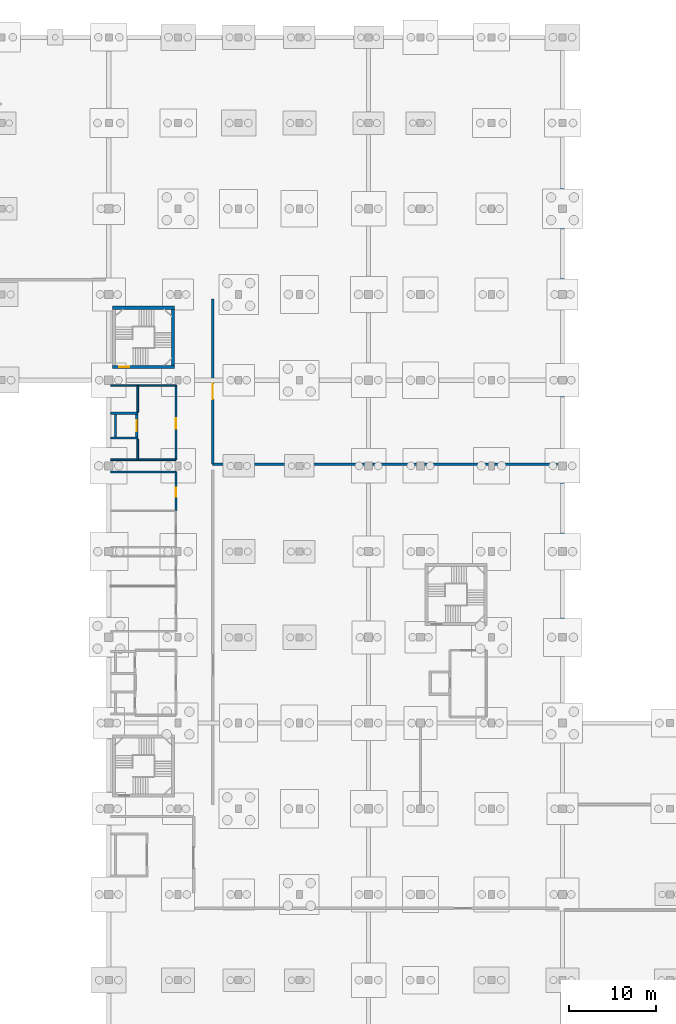
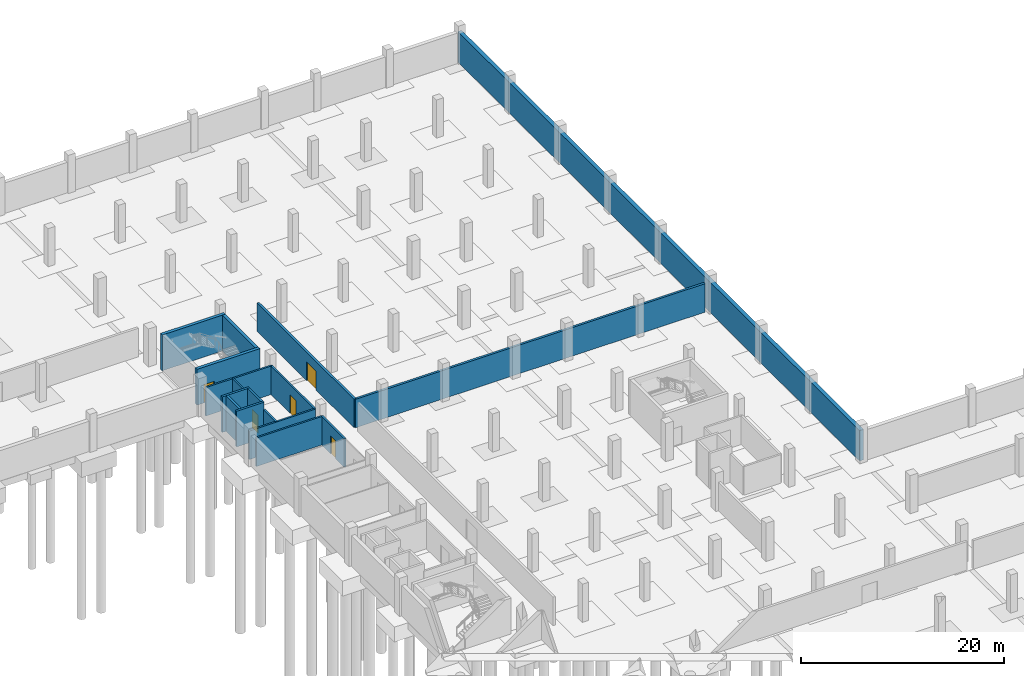
# One storey, part 17 of 30: 17 walls, 5 doors, 5 openings.
"""IFC4 building model written with IfcOpenShell, lengths in metres."""

from ifc_helpers import new_model, si_unit, direction, frame, frame_2d, origin, place, context, subcontext, project, spatial, rectangle, extrude, material, layer, layer_set, type_object, element, fill, save


model = new_model("IFC4")

# Units and contexts
model_context = context("Model", 3, precision=1e-05, world=origin(), true_north=direction((0.0, 1.0)))
body_context = subcontext(model_context, "Body", "Model", "MODEL_VIEW")
ifc_project = project(units=[si_unit("LENGTHUNIT", "METRE"), si_unit("AREAUNIT", "SQUARE_METRE"), si_unit("VOLUMEUNIT", "CUBIC_METRE"), si_unit("PLANEANGLEUNIT", "RADIAN"), si_unit("MASSUNIT", "GRAM", prefix="KILO")], contexts=[model_context])

# Site, building, storey
site_placement = place(None, origin())
site = spatial("IfcSite", under=ifc_project, at=site_placement, CompositionType="ELEMENT")
building_placement = place(site_placement, origin())
building = spatial("IfcBuilding", under=site, at=building_placement, Name="Sillaruma Civic Art Gallery", CompositionType="ELEMENT")
storey_placement = place(building_placement, frame((0.0, 0.0, -9.179931640625)))
storey = spatial("IfcBuildingStorey", under=building, at=storey_placement, Name="B02", CompositionType="ELEMENT", Elevation=-9.179931640625)

# Wall, opening, door
ifc_material_1 = material(Name="Concrete H40 (40 MPa)", Category="concrete")
ifc_layer_1 = layer(ifc_material_1, 0.35009765625, Name="Concrete H40 (40 MPa)")
ifc_layer_set_1 = layer_set([ifc_layer_1], Name="Concrete H40 (40 MPa)")
wall_type_1 = type_object("IfcWallType", Name="WAL-CORE-350", PredefinedType="SHEAR", material=ifc_layer_set_1)
wall_1_placement = place(storey_placement, frame((62.409912109375, 80.735107421875, 0.0), z_axis=(0.0, 0.0, 1.0), x_axis=(1.0, 0.0, 0.0)))
wall_1 = element("IfcWall", 1, at=wall_1_placement, inside=storey, type_object=wall_type_1, Name="Stair Core Shear Wall W-CORE-350 (ST-02:B02:S)", PredefinedType="SHEAR", context=body_context, shape_type="SweptSolid", body=[
    extrude(rectangle(XDim=7.18017578125, YDim=0.35009765625, at=frame_2d((3.590087890625, 0.0))), origin(), (0.0, 0.0, 1.0), 4.309814453125),
])
opening_1_placement = place(wall_1_placement, frame((0.77001953125, 0.0, 0.0)))
opening_1 = element("IfcOpeningElement", 2, at=opening_1_placement, cuts=wall_1, Name="Opening D-STAIR", PredefinedType="OPENING", context=body_context, shape_type="SweptSolid", body=[
    extrude(rectangle(XDim=1.199951171875, YDim=2.199951171875, at=frame_2d((0.60009765625, 1.10009765625))), frame((0.0, 0.18505859375, 0.0), z_axis=(0.0, -1.0, 0.0), x_axis=(1.0, 0.0, 0.0)), (0.0, 0.0, 1.0), 0.3701171875),
])
ifc_material_2 = material(Name="Galvanised Steel ASTM A653 Gr.50", Category="steel")
door_type_1 = type_object("IfcDoorType", Name="DOR-STAIR-120", OperationType="NOTDEFINED", PredefinedType="DOOR", material=ifc_material_2)
door_1_placement = place(opening_1_placement, origin())
door_1 = element("IfcDoor", 3, at=door_1_placement, inside=storey, type_object=door_type_1, Name="Protected Stair Fire Door (ST-02:B02)", OperationType="SINGLE_SWING_RIGHT", OverallHeight=2.199951171875, OverallWidth=1.199951171875, PredefinedType="DOOR", context=body_context, shape_type="SweptSolid", body=[
    extrude(rectangle(XDim=1.199951171875, YDim=2.199951171875, at=frame_2d((0.60009765625, 1.10009765625))), frame((0.0, 0.02490234375, 0.0), z_axis=(0.0, -1.0, 0.0), x_axis=(1.0, 0.0, 0.0)), (0.0, 0.0, 1.0), 0.050048828125),
])
fill(opening_1, door_1)

# Walls
wall_2_placement = place(storey_placement, frame((62.409912109375, 87.56494140625, 0.0), z_axis=(0.0, 0.0, 1.0), x_axis=(1.0, 0.0, 0.0)))
element("IfcWall", 4, at=wall_2_placement, inside=storey, type_object=wall_type_1, Name="Stair Core Shear Wall W-CORE-350 (ST-02:B02:N)", PredefinedType="SHEAR", context=body_context, shape_type="SweptSolid", body=[
    extrude(rectangle(XDim=7.18017578125, YDim=0.35009765625, at=frame_2d((3.590087890625, 0.0))), origin(), (0.0, 0.0, 1.0), 4.309814453125),
])
wall_3_placement = place(storey_placement, frame((69.4150390625, 80.909912109375, 0.0), z_axis=(0.0, 0.0, 1.0), x_axis=(0.0, 1.0, 0.0)))
element("IfcWall", 5, at=wall_3_placement, inside=storey, type_object=wall_type_1, Name="Stair Core Shear Wall W-CORE-350 (ST-02:B02:E)", PredefinedType="SHEAR", context=body_context, shape_type="SweptSolid", body=[
    extrude(rectangle(XDim=6.47998046875, YDim=0.35009765625, at=frame_2d((3.239990234375, 0.0))), origin(), (0.0, 0.0, 1.0), 4.309814453125),
])
ifc_material_3 = material(Name="Concrete Masonry Unit Grade M15", Category="masonry")
ifc_layer_2 = layer(ifc_material_3, 0.199951171875, Name="Concrete Masonry Unit Grade M15")
ifc_layer_set_2 = layer_set([ifc_layer_2], Name="Concrete Masonry Unit Grade M15")
wall_type_2 = type_object("IfcWallType", Name="WAL-LOBBY-200", PredefinedType="SOLIDWALL", material=ifc_layer_set_2)
for number, where, z_axis, x_axis, name in (
    (6, (62.219970703125, 70.0, 0.0), (0.0, 0.0, 1.0), (1.0, 0.0, 0.0), "Interior Wall W-LOBBY-200 (B02-FFL)"),
    (7, (62.219970703125, 78.60009765625, 0.0), (0.0, 0.0, 1.0), (1.0, 0.0, 0.0), "Interior Wall W-LOBBY-200 (B02-FFL)"),
):
    element("IfcWall", number, at=place(storey_placement, frame(where, z_axis=z_axis, x_axis=x_axis)), inside=storey, type_object=wall_type_2, Name=name, PredefinedType="SOLIDWALL", context=body_context, shape_type="SweptSolid", body=[
        extrude(rectangle(XDim=7.530029296875, YDim=0.199951171875, at=frame_2d((3.76513671875, 0.0))), origin(), (0.0, 0.0, 1.0), 3.429931640625),
    ])
wall_4_placement = place(storey_placement, frame((65.35009765625, 70.0, 0.0), z_axis=(0.0, 0.0, 1.0), x_axis=(0.0, 1.0, 0.0)))
element("IfcWall", 8, at=wall_4_placement, inside=storey, type_object=wall_type_2, Name="Interior Wall W-LOBBY-200 (B02-FFL)", PredefinedType="SOLIDWALL", context=body_context, shape_type="SweptSolid", body=[
    extrude(rectangle(XDim=2.39990234375, YDim=0.199951171875, at=frame_2d((1.199951171875, 0.0))), origin(), (0.0, 0.0, 1.0), 3.429931640625),
])
wall_5_placement = place(storey_placement, frame((65.35009765625, 75.5, 0.0), z_axis=(0.0, 0.0, 1.0), x_axis=(0.0, 1.0, 0.0)))
element("IfcWall", 9, at=wall_5_placement, inside=storey, type_object=wall_type_2, Name="Interior Wall W-LOBBY-200 (B02-FFL)", PredefinedType="SOLIDWALL", context=body_context, shape_type="SweptSolid", body=[
    extrude(rectangle(XDim=3.10009765625, YDim=0.199951171875, at=frame_2d((1.550048828125, 0.0))), origin(), (0.0, 0.0, 1.0), 3.429931640625),
])

# Wall, opening, door
wall_6_placement = place(storey_placement, frame((69.75, 70.0, 0.0), z_axis=(0.0, 0.0, 1.0), x_axis=(0.0, 1.0, 0.0)))
wall_6 = element("IfcWall", 10, at=wall_6_placement, inside=storey, type_object=wall_type_2, Name="Interior Wall W-LOBBY-200 (B02-FFL)", PredefinedType="SOLIDWALL", context=body_context, shape_type="SweptSolid", body=[
    extrude(rectangle(XDim=8.60009765625, YDim=0.199951171875, at=frame_2d((4.300048828125, 0.0))), origin(), (0.0, 0.0, 1.0), 3.429931640625),
])
opening_2_placement = place(wall_6_placement, frame((3.60009765625, 0.0, 0.0)))
opening_2 = element("IfcOpeningElement", 11, at=opening_2_placement, cuts=wall_6, Name="Opening D-FFL", PredefinedType="OPENING", context=body_context, shape_type="SweptSolid", body=[
    extrude(rectangle(XDim=1.199951171875, YDim=2.25, at=frame_2d((0.60009765625, 1.125))), frame((0.0, 0.10986328125, 0.0), z_axis=(0.0, -1.0, 0.0), x_axis=(1.0, 0.0, 0.0)), (0.0, 0.0, 1.0), 0.219970703125),
])
door_type_2 = type_object("IfcDoorType", Name="DOR-FFL-120", OperationType="NOTDEFINED", PredefinedType="DOOR", material=ifc_material_2)
door_2_placement = place(opening_2_placement, origin())
door_2 = element("IfcDoor", 12, at=door_2_placement, inside=storey, type_object=door_type_2, Name="Firefighting Lobby Door (D-FFL)", OperationType="SINGLE_SWING_LEFT", OverallHeight=2.25, OverallWidth=1.199951171875, PredefinedType="DOOR", context=body_context, shape_type="SweptSolid", body=[
    extrude(rectangle(XDim=1.199951171875, YDim=2.25, at=frame_2d((0.60009765625, 1.125))), frame((0.0, 0.02490234375, 0.0), z_axis=(0.0, -1.0, 0.0), x_axis=(1.0, 0.0, 0.0)), (0.0, 0.0, 1.0), 0.050048828125),
])
fill(opening_2, door_2)

# Wall
wall_7_placement = place(storey_placement, frame((62.219970703125, 68.60009765625, 0.0), z_axis=(0.0, 0.0, 1.0), x_axis=(1.0, 0.0, 0.0)))
element("IfcWall", 13, at=wall_7_placement, inside=storey, type_object=wall_type_2, Name="Interior Wall W-LOBBY-200 (B02-RSR)", PredefinedType="SOLIDWALL", context=body_context, shape_type="SweptSolid", body=[
    extrude(rectangle(XDim=7.530029296875, YDim=0.199951171875, at=frame_2d((3.76513671875, 0.0))), origin(), (0.0, 0.0, 1.0), 3.429931640625),
])

# Wall, opening, door
wall_8_placement = place(storey_placement, frame((69.75, 64.10009765625, 0.0), z_axis=(0.0, 0.0, 1.0), x_axis=(0.0, 1.0, 0.0)))
wall_8 = element("IfcWall", 14, at=wall_8_placement, inside=storey, type_object=wall_type_2, Name="Interior Wall W-LOBBY-200 (B02-RSR)", PredefinedType="SOLIDWALL", context=body_context, shape_type="SweptSolid", body=[
    extrude(rectangle(XDim=4.5, YDim=0.199951171875, at=frame_2d((2.25, 0.0))), origin(), (0.0, 0.0, 1.0), 3.429931640625),
])
opening_3_placement = place(wall_8_placement, frame((1.64990234375, 0.0, 0.0)))
opening_3 = element("IfcOpeningElement", 15, at=opening_3_placement, cuts=wall_8, Name="Opening D-RISER", PredefinedType="OPENING", context=body_context, shape_type="SweptSolid", body=[
    extrude(rectangle(XDim=1.0, YDim=2.14990234375, at=frame_2d((0.5, 1.074951171875))), frame((0.0, 0.10986328125, 0.0), z_axis=(0.0, -1.0, 0.0), x_axis=(1.0, 0.0, 0.0)), (0.0, 0.0, 1.0), 0.219970703125),
])
door_type_3 = type_object("IfcDoorType", Name="DOR-RISER-100", OperationType="NOTDEFINED", PredefinedType="DOOR", material=ifc_material_2)
door_3_placement = place(opening_3_placement, origin())
door_3 = element("IfcDoor", 16, at=door_3_placement, inside=storey, type_object=door_type_3, Name="MEP Service Riser Door (D-RISER)", OperationType="SINGLE_SWING_LEFT", OverallHeight=2.14990234375, OverallWidth=1.0, PredefinedType="DOOR", context=body_context, shape_type="SweptSolid", body=[
    extrude(rectangle(XDim=1.0, YDim=2.14990234375, at=frame_2d((0.5, 1.074951171875))), frame((0.0, 0.02490234375, 0.0), z_axis=(0.0, -1.0, 0.0), x_axis=(1.0, 0.0, 0.0)), (0.0, 0.0, 1.0), 0.050048828125),
])
fill(opening_3, door_3)

# Walls
ifc_layer_3 = layer(ifc_material_1, 0.43994140625, Name="Concrete H40 (40 MPa)")
ifc_layer_set_3 = layer_set([ifc_layer_3], Name="Concrete H40 (40 MPa)")
wall_type_3 = type_object("IfcWallType", Name="WAL-RET-440", PredefinedType="USERDEFINED", material=ifc_layer_set_3)
wall_9_placement = place(storey_placement, frame((114.39990234375, 39.60009765625, 0.0), z_axis=(0.0, 0.0, 1.0), x_axis=(0.0, 1.0, 0.0)))
element("IfcWall", 17, at=wall_9_placement, inside=storey, type_object=wall_type_3, Name="Exterior Wall W-RET-440 (RET-B02-04)", ObjectType="RETAININGWALL", PredefinedType="USERDEFINED", context=body_context, shape_type="SweptSolid", body=[
    extrude(rectangle(XDim=79.199951171875, YDim=0.43994140625, at=frame_2d((39.60009765625, 0.0))), origin(), (0.0, 0.0, 1.0), 3.659912109375),
])
ifc_layer_4 = layer(ifc_material_1, 0.25, Name="Concrete H40 (40 MPa)")
ifc_layer_set_4 = layer_set([ifc_layer_4], Name="Concrete H40 (40 MPa)")
wall_type_4 = type_object("IfcWallType", Name="WAL-SHAFT-250", PredefinedType="SOLIDWALL", material=ifc_layer_set_4)
for number, where, z_axis, x_axis, name in (
    (18, (62.219970703125, 72.52490234375, 0.0), (0.0, 0.0, 1.0), (1.0, 0.0, 0.0), "Lift Shaft Wall W-SHAFT-250 (FFL-01:B02:S)"),
    (19, (62.219970703125, 75.375, 0.0), (0.0, 0.0, 1.0), (1.0, 0.0, 0.0), "Lift Shaft Wall W-SHAFT-250 (FFL-01:B02:N)"),
):
    element("IfcWall", number, at=place(storey_placement, frame(where, z_axis=z_axis, x_axis=x_axis)), inside=storey, type_object=wall_type_4, Name=name, PredefinedType="SOLIDWALL", context=body_context, shape_type="SweptSolid", body=[
        extrude(rectangle(XDim=3.130126953125, YDim=0.25, at=frame_2d((1.56494140625, 0.0))), origin(), (0.0, 0.0, 1.0), 4.2900390625),
    ])
wall_10_placement = place(storey_placement, frame((62.77490234375, 72.64990234375, 0.0), z_axis=(0.0, 0.0, 1.0), x_axis=(0.0, 1.0, 0.0)))
element("IfcWall", 20, at=wall_10_placement, inside=storey, type_object=wall_type_4, Name="Lift Shaft Wall W-SHAFT-250 (FFL-01:B02:W)", PredefinedType="SOLIDWALL", context=body_context, shape_type="SweptSolid", body=[
    extrude(rectangle(XDim=2.60009765625, YDim=0.25, at=frame_2d((1.300048828125, 0.0))), origin(), (0.0, 0.0, 1.0), 4.2900390625),
])

# Wall, opening, door
wall_11_placement = place(storey_placement, frame((65.22509765625, 72.64990234375, 0.0), z_axis=(0.0, 0.0, 1.0), x_axis=(0.0, 1.0, 0.0)))
wall_11 = element("IfcWall", 21, at=wall_11_placement, inside=storey, type_object=wall_type_4, Name="Lift Shaft Wall W-SHAFT-250 (FFL-01:B02:E)", PredefinedType="SOLIDWALL", context=body_context, shape_type="SweptSolid", body=[
    extrude(rectangle(XDim=2.60009765625, YDim=0.25, at=frame_2d((1.300048828125, 0.0))), origin(), (0.0, 0.0, 1.0), 4.2900390625),
])
opening_4_placement = place(wall_11_placement, frame((0.675048828125, 0.0, 0.0)))
opening_4 = element("IfcOpeningElement", 22, at=opening_4_placement, cuts=wall_11, Name="Opening LD-02", PredefinedType="OPENING", context=body_context, shape_type="SweptSolid", body=[
    extrude(rectangle(XDim=1.25, YDim=2.199951171875, at=frame_2d((0.625, 1.10009765625))), frame((0.0, 0.135009765625, 0.0), z_axis=(0.0, -1.0, 0.0), x_axis=(1.0, 0.0, 0.0)), (0.0, 0.0, 1.0), 0.27001953125),
])
door_type_4 = type_object("IfcDoorType", Name="DOR-LD-02", OperationType="NOTDEFINED", PredefinedType="DOOR", material=ifc_material_2)
door_4_placement = place(opening_4_placement, origin())
door_4 = element("IfcDoor", 23, at=door_4_placement, inside=storey, type_object=door_type_4, Name="Lift Sliding Landing Door LD-02 (FFL-01:B02)", OperationType="DOUBLE_DOOR_SLIDING", OverallHeight=2.199951171875, OverallWidth=1.25, PredefinedType="DOOR", context=body_context, shape_type="SweptSolid", body=[
    extrude(rectangle(XDim=1.25, YDim=2.199951171875, at=frame_2d((0.625, 1.10009765625))), frame((0.0, 0.02490234375, 0.0), z_axis=(0.0, -1.0, 0.0), x_axis=(1.0, 0.0, 0.0)), (0.0, 0.0, 1.0), 0.050048828125),
])
fill(opening_4, door_4)

# Wall
ifc_layer_5 = layer(ifc_material_3, 0.2548828125, Name="Concrete Masonry Unit Grade M15")
ifc_layer_set_5 = layer_set([ifc_layer_5], Name="Concrete Masonry Unit Grade M15")
wall_type_5 = type_object("IfcWallType", Name="WAL-STORE-250", PredefinedType="SOLIDWALL", material=ifc_layer_set_5)
wall_12_placement = place(storey_placement, frame((74.0, 69.5, 0.0), z_axis=(0.0, 0.0, 1.0), x_axis=(1.0, 0.0, 0.0)))
element("IfcWall", 24, at=wall_12_placement, inside=storey, type_object=wall_type_5, Name="Interior Wall W-STORE-250 (B02-PLTC)", PredefinedType="SOLIDWALL", context=body_context, shape_type="SweptSolid", body=[
    extrude(rectangle(XDim=39.800048828125, YDim=0.2548828125, at=frame_2d((19.89990234375, 0.0))), origin(), (0.0, 0.0, 1.0), 3.429931640625),
])

# Wall, opening, door
wall_13_placement = place(storey_placement, frame((74.0, 69.5, 0.0), z_axis=(0.0, 0.0, 1.0), x_axis=(0.0, 1.0, 0.0)))
wall_13 = element("IfcWall", 25, at=wall_13_placement, inside=storey, type_object=wall_type_5, Name="Interior Wall W-STORE-250 (B02-PLTC)", PredefinedType="SOLIDWALL", context=body_context, shape_type="SweptSolid", body=[
    extrude(rectangle(XDim=19.10009765625, YDim=0.2548828125, at=frame_2d((9.550048828125, 0.0))), origin(), (0.0, 0.0, 1.0), 3.429931640625),
])
opening_5_placement = place(wall_13_placement, frame((7.5, 0.0, 0.0)))
opening_5 = element("IfcOpeningElement", 26, at=opening_5_placement, cuts=wall_13, Name="Opening D-PLANT", PredefinedType="OPENING", context=body_context, shape_type="SweptSolid", body=[
    extrude(rectangle(XDim=1.800048828125, YDim=2.25, at=frame_2d((0.89990234375, 1.125))), frame((0.0, 0.137451171875, 0.0), z_axis=(0.0, -1.0, 0.0), x_axis=(1.0, 0.0, 0.0)), (0.0, 0.0, 1.0), 0.27490234375),
])
door_type_5 = type_object("IfcDoorType", Name="DOR-PLANT-180", OperationType="NOTDEFINED", PredefinedType="DOOR", material=ifc_material_2)
door_5_placement = place(opening_5_placement, origin())
door_5 = element("IfcDoor", 27, at=door_5_placement, inside=storey, type_object=door_type_5, Name="Close-Control AHU Plant Room Door (D-PLANT)", OperationType="DOUBLE_DOOR_SINGLE_SWING", OverallHeight=2.25, OverallWidth=1.800048828125, PredefinedType="DOOR", context=body_context, shape_type="SweptSolid", body=[
    extrude(rectangle(XDim=1.800048828125, YDim=2.25, at=frame_2d((0.89990234375, 1.125))), frame((0.0, 0.02490234375, 0.0), z_axis=(0.0, -1.0, 0.0), x_axis=(1.0, 0.0, 0.0)), (0.0, 0.0, 1.0), 0.050048828125),
])
fill(opening_5, door_5)

save(model, "model.ifc")
